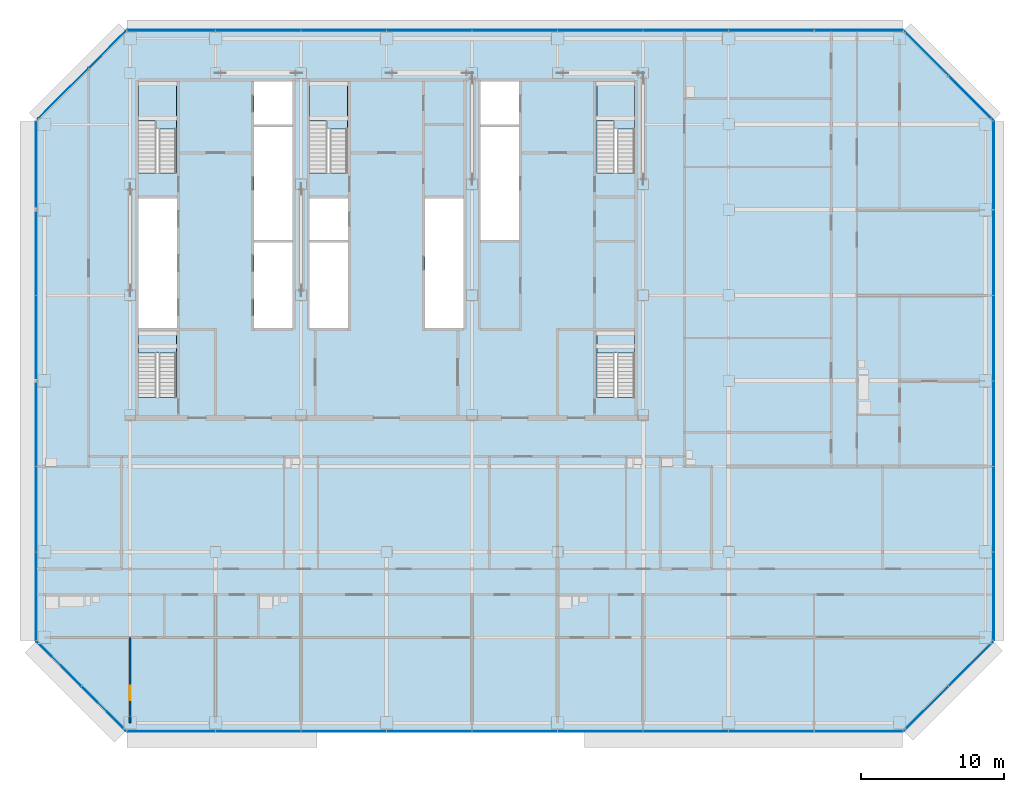
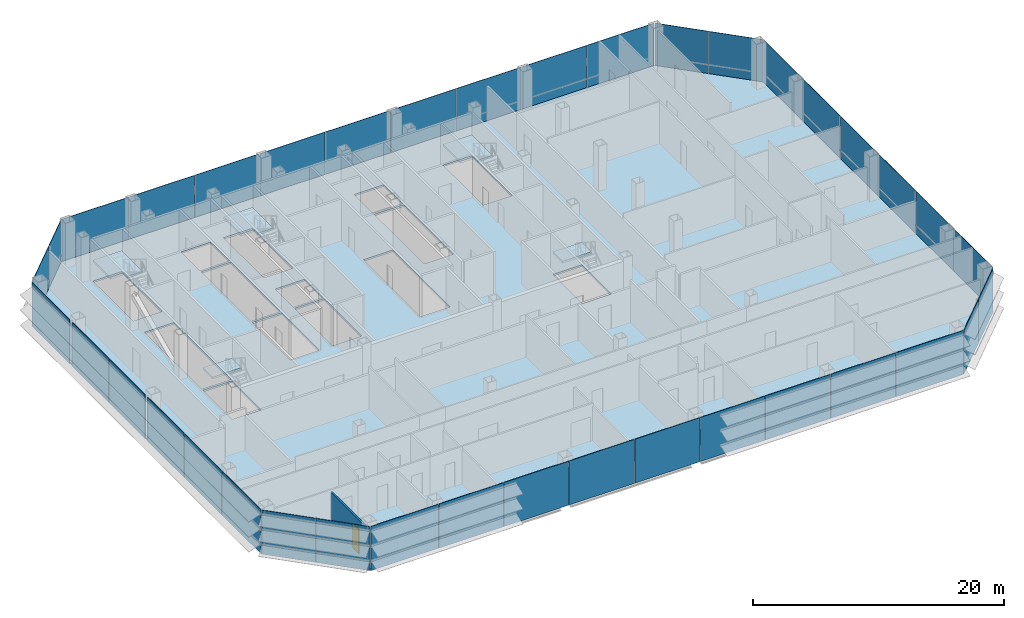
# One storey, part 19 of 27: 38 plates, 6 slabs, 1 door, 1 wall, 1 opening, 13 elements without a shape of their own.
"""IFC4 building model written with IfcOpenShell, lengths in metres."""

from ifc_helpers import new_model, si_unit, direction, frame, frame_2d, origin, origin_2d, place, context, subcontext, project, spatial, polyline, rectangle, outline, extrude, material, layer, layer_set, type_object, element, fill, aggregate, save


model = new_model("IFC4")

# Units and contexts
model_context = context("Model", 3, precision=1e-05, world=origin(), true_north=direction((0.0, 1.0)))
body_context = subcontext(model_context, "Body", "Model", "MODEL_VIEW")
ifc_project = project(units=[si_unit("LENGTHUNIT", "METRE"), si_unit("AREAUNIT", "SQUARE_METRE"), si_unit("VOLUMEUNIT", "CUBIC_METRE"), si_unit("PLANEANGLEUNIT", "RADIAN"), si_unit("MASSUNIT", "GRAM", prefix="KILO")], contexts=[model_context])

# Site, building, storey
site_placement = place(None, origin())
site = spatial("IfcSite", under=ifc_project, at=site_placement, CompositionType="ELEMENT")
building_placement = place(site_placement, origin())
building = spatial("IfcBuilding", under=site, at=building_placement, Name="Sorahane Residences", CompositionType="ELEMENT")
storey_placement = place(building_placement, frame((0.0, 0.0, 85.800048828125)))
storey = spatial("IfcBuildingStorey", under=building, at=storey_placement, Name="L18", CompositionType="ELEMENT", Elevation=85.800048828125)

# Slab
ifc_material_1 = material(Name="Concrete C35", Category="concrete")
ifc_layer_1 = layer(ifc_material_1, 0.179931640625)
ifc_layer_set_1 = layer_set([ifc_layer_1], Name="Composite floor slab 180 mm Concrete C35")
slab_type_1 = type_object("IfcSlabType", Name="Composite floor slab 180 mm Concrete C35", PredefinedType="FLOOR", material=ifc_layer_set_1)
slab_1_placement = place(storey_placement, frame((0.0, 0.0, -0.179931640625)))
element("IfcSlab", 1, at=slab_1_placement, inside=storey, type_object=slab_type_1, Name="Slab L18", PredefinedType="FLOOR", context=body_context, shape_type="SweptSolid", body=[
    extrude(outline(polyline([(5.75146484375, -0.60009765625), (-0.60009765625, 5.75146484375), (-0.60009765625, 42.24853515625), (5.75146484375, 48.60009765625), (60.24853515625, 48.60009765625), (66.60009765625, 42.24853515625), (66.60009765625, 5.75146484375), (60.24853515625, -0.60009765625), (5.75146484375, -0.60009765625)]), holes=[polyline([(18.60009765625, 27.699951171875), (21.300048828125, 27.699951171875), (21.300048828125, 33.699951171875), (18.60009765625, 33.699951171875), (18.60009765625, 27.699951171875)]), polyline([(30.60009765625, 42.0), (33.300048828125, 42.0), (33.300048828125, 45.0), (30.60009765625, 45.0), (30.60009765625, 42.0)]), polyline([(14.699951171875, 27.699951171875), (17.39990234375, 27.699951171875), (17.39990234375, 33.699951171875), (14.699951171875, 33.699951171875), (14.699951171875, 27.699951171875)]), polyline([(14.699951171875, 42.0), (17.39990234375, 42.0), (17.39990234375, 45.0), (14.699951171875, 45.0), (14.699951171875, 42.0)]), polyline([(6.60009765625, 27.699951171875), (9.300048828125, 27.699951171875), (9.300048828125, 36.800048828125), (6.60009765625, 36.800048828125), (6.60009765625, 27.699951171875)]), polyline([(9.25, 38.60009765625), (9.25, 45.0), (6.60009765625, 45.0), (6.60009765625, 38.60009765625), (9.25, 38.60009765625)]), polyline([(41.39990234375, 38.60009765625), (41.39990234375, 45.0), (38.75, 45.0), (38.75, 38.60009765625), (41.39990234375, 38.60009765625)]), polyline([(21.25, 38.60009765625), (21.25, 45.0), (18.60009765625, 45.0), (18.60009765625, 38.60009765625), (21.25, 38.60009765625)]), polyline([(9.25, 22.85009765625), (9.25, 27.5), (6.60009765625, 27.5), (6.60009765625, 22.85009765625), (9.25, 22.85009765625)]), polyline([(41.39990234375, 22.85009765625), (41.39990234375, 27.5), (38.75, 27.5), (38.75, 22.85009765625), (41.39990234375, 22.85009765625)]), polyline([(14.699951171875, 33.89990234375), (17.39990234375, 33.89990234375), (17.39990234375, 41.800048828125), (14.699951171875, 41.800048828125), (14.699951171875, 33.89990234375)]), polyline([(30.60009765625, 33.89990234375), (33.300048828125, 33.89990234375), (33.300048828125, 41.800048828125), (30.60009765625, 41.800048828125), (30.60009765625, 33.89990234375)]), polyline([(18.60009765625, 33.89990234375), (21.300048828125, 33.89990234375), (21.300048828125, 36.800048828125), (18.60009765625, 36.800048828125), (18.60009765625, 33.89990234375)]), polyline([(26.699951171875, 27.699951171875), (29.39990234375, 27.699951171875), (29.39990234375, 36.800048828125), (26.699951171875, 36.800048828125), (26.699951171875, 27.699951171875)])]), origin(), (0.0, 0.0, 1.0), 0.179931640625),
])

# Curtain wall, plates
ifc_material_2 = material(Name="Dark low-e glass and black anodised aluminium", Category="aluminium")
curtain_wall_type_1 = type_object("IfcCurtainWallType", Name="Curtain wall CW-1 Typical unitised wall", PredefinedType="NOTDEFINED", material=ifc_material_2)
curtain_wall_1_placement = place(storey_placement, origin())
curtain_wall_1 = element("IfcCurtainWall", 2, at=curtain_wall_1_placement, inside=storey, type_object=curtain_wall_type_1, Name="CW-1 curtain wall L18 S1", PredefinedType="NOTDEFINED")
ifc_material_3 = material(Name="Dark low-e glass with black ceramic frit", Category="glass")
ifc_layer_2 = layer(ifc_material_3, 0.0400390625)
ifc_layer_set_2 = layer_set([ifc_layer_2], Name="Curtain wall glass panel dark low-e with black frit spandrel band")
plate_type = type_object("IfcPlateType", Name="Curtain wall glass panel dark low-e with black frit spandrel band", PredefinedType="CURTAIN_PANEL", material=ifc_layer_set_2)
plate_1_placement = place(storey_placement, frame((8.88818359375, -0.60009765625, -0.18017578125), z_axis=(0.0, 0.0, 1.0), x_axis=(1.0, 0.0, 0.0)))
plate_1 = element("IfcPlate", 3, at=plate_1_placement, type_object=plate_type, Name="CW-1 glass panel L18 S1.1", PredefinedType="CURTAIN_PANEL", context=body_context, shape_type="SweptSolid", body=[
    extrude(rectangle(XDim=6.173583984375, YDim=0.0400390625, at=origin_2d()), origin(), (0.0, 0.0, 1.0), 4.280029296875),
])
plate_2_placement = place(storey_placement, frame((15.0, -0.60009765625, -0.18017578125), z_axis=(0.0, 0.0, 1.0), x_axis=(1.0, 0.0, 0.0)))
plate_2 = element("IfcPlate", 4, at=plate_2_placement, type_object=plate_type, Name="CW-1 glass panel L18 S1.2", PredefinedType="CURTAIN_PANEL", context=body_context, shape_type="SweptSolid", body=[
    extrude(rectangle(XDim=5.949951171875, YDim=0.0400390625, at=origin_2d()), origin(), (0.0, 0.0, 1.0), 4.280029296875),
])
plate_3_placement = place(storey_placement, frame((21.0, -0.60009765625, -0.18017578125), z_axis=(0.0, 0.0, 1.0), x_axis=(1.0, 0.0, 0.0)))
plate_3 = element("IfcPlate", 5, at=plate_3_placement, type_object=plate_type, Name="CW-1 glass panel L18 S1.3", PredefinedType="CURTAIN_PANEL", context=body_context, shape_type="SweptSolid", body=[
    extrude(rectangle(XDim=5.949951171875, YDim=0.0400390625, at=origin_2d()), origin(), (0.0, 0.0, 1.0), 4.280029296875),
])
plate_4_placement = place(storey_placement, frame((27.0, -0.60009765625, -0.18017578125), z_axis=(0.0, 0.0, 1.0), x_axis=(1.0, 0.0, 0.0)))
plate_4 = element("IfcPlate", 6, at=plate_4_placement, type_object=plate_type, Name="CW-1 glass panel L18 S1.4", PredefinedType="CURTAIN_PANEL", context=body_context, shape_type="SweptSolid", body=[
    extrude(rectangle(XDim=5.949951171875, YDim=0.0400390625, at=origin_2d()), origin(), (0.0, 0.0, 1.0), 4.280029296875),
])
plate_5_placement = place(storey_placement, frame((33.0, -0.60009765625, -0.18017578125), z_axis=(0.0, 0.0, 1.0), x_axis=(1.0, 0.0, 0.0)))
plate_5 = element("IfcPlate", 7, at=plate_5_placement, type_object=plate_type, Name="CW-1 glass panel L18 S1.5", PredefinedType="CURTAIN_PANEL", context=body_context, shape_type="SweptSolid", body=[
    extrude(rectangle(XDim=5.949951171875, YDim=0.0400390625, at=origin_2d()), origin(), (0.0, 0.0, 1.0), 4.280029296875),
])
plate_6_placement = place(storey_placement, frame((39.0, -0.60009765625, -0.18017578125), z_axis=(0.0, 0.0, 1.0), x_axis=(1.0, 0.0, 0.0)))
plate_6 = element("IfcPlate", 8, at=plate_6_placement, type_object=plate_type, Name="CW-1 glass panel L18 S1.6", PredefinedType="CURTAIN_PANEL", context=body_context, shape_type="SweptSolid", body=[
    extrude(rectangle(XDim=5.949951171875, YDim=0.0400390625, at=origin_2d()), origin(), (0.0, 0.0, 1.0), 4.280029296875),
])
plate_7_placement = place(storey_placement, frame((45.0, -0.60009765625, -0.18017578125), z_axis=(0.0, 0.0, 1.0), x_axis=(1.0, 0.0, 0.0)))
plate_7 = element("IfcPlate", 9, at=plate_7_placement, type_object=plate_type, Name="CW-1 glass panel L18 S1.7", PredefinedType="CURTAIN_PANEL", context=body_context, shape_type="SweptSolid", body=[
    extrude(rectangle(XDim=5.949951171875, YDim=0.0400390625, at=origin_2d()), origin(), (0.0, 0.0, 1.0), 4.280029296875),
])
plate_8_placement = place(storey_placement, frame((51.0, -0.60009765625, -0.18017578125), z_axis=(0.0, 0.0, 1.0), x_axis=(1.0, 0.0, 0.0)))
plate_8 = element("IfcPlate", 10, at=plate_8_placement, type_object=plate_type, Name="CW-1 glass panel L18 S1.8", PredefinedType="CURTAIN_PANEL", context=body_context, shape_type="SweptSolid", body=[
    extrude(rectangle(XDim=5.949951171875, YDim=0.0400390625, at=origin_2d()), origin(), (0.0, 0.0, 1.0), 4.280029296875),
])
plate_9_placement = place(storey_placement, frame((57.11181640625, -0.60009765625, -0.18017578125), z_axis=(0.0, 0.0, 1.0), x_axis=(1.0, 0.0, 0.0)))
plate_9 = element("IfcPlate", 11, at=plate_9_placement, type_object=plate_type, Name="CW-1 glass panel L18 S1.9", PredefinedType="CURTAIN_PANEL", context=body_context, shape_type="SweptSolid", body=[
    extrude(rectangle(XDim=6.173583984375, YDim=0.0400390625, at=origin_2d()), origin(), (0.0, 0.0, 1.0), 4.280029296875),
])
aggregate(curtain_wall_1, [plate_1, plate_2, plate_3, plate_4, plate_5, plate_6, plate_7, plate_8, plate_9])

ifc_material_4 = material(Name="Dark low-e glass and black anodised aluminium", Category="aluminium")
curtain_wall_type_2 = type_object("IfcCurtainWallType", Name="Curtain wall CW-2 Chamfer unitised wall", PredefinedType="NOTDEFINED", material=ifc_material_4)
curtain_wall_2_placement = place(storey_placement, origin())
curtain_wall_2 = element("IfcCurtainWall", 12, at=curtain_wall_2_placement, inside=storey, type_object=curtain_wall_type_2, Name="CW-2 curtain wall L18 SE1", PredefinedType="NOTDEFINED")
plate_10_placement = place(storey_placement, frame((61.84521484375, 0.996826171875, -0.18017578125), z_axis=(0.0, 0.0, 1.0), x_axis=(0.707106781187, 0.707106781187, 0.0)))
plate_10 = element("IfcPlate", 13, at=plate_10_placement, type_object=plate_type, Name="CW-2 glass panel L18 SE1.1", PredefinedType="CURTAIN_PANEL", context=body_context, shape_type="SweptSolid", body=[
    extrude(rectangle(XDim=4.416259765625, YDim=0.0400390625, at=origin_2d()), origin(), (0.0, 0.0, 1.0), 4.280029296875),
])
plate_11_placement = place(storey_placement, frame((65.003173828125, 4.15478515625, -0.18017578125), z_axis=(0.0, 0.0, 1.0), x_axis=(0.707106781187, 0.707106781187, 0.0)))
plate_11 = element("IfcPlate", 14, at=plate_11_placement, type_object=plate_type, Name="CW-2 glass panel L18 SE1.2", PredefinedType="CURTAIN_PANEL", context=body_context, shape_type="SweptSolid", body=[
    extrude(rectangle(XDim=4.416259765625, YDim=0.0400390625, at=origin_2d()), origin(), (0.0, 0.0, 1.0), 4.280029296875),
])
aggregate(curtain_wall_2, [plate_10, plate_11])

curtain_wall_3_placement = place(storey_placement, origin())
curtain_wall_3 = element("IfcCurtainWall", 15, at=curtain_wall_3_placement, inside=storey, type_object=curtain_wall_type_1, Name="CW-1 curtain wall L18 E1", PredefinedType="NOTDEFINED")
plate_12_placement = place(storey_placement, frame((66.60009765625, 8.88818359375, -0.18017578125), z_axis=(0.0, 0.0, 1.0), x_axis=(0.0, 1.0, 0.0)))
plate_12 = element("IfcPlate", 16, at=plate_12_placement, type_object=plate_type, Name="CW-1 glass panel L18 E1.1", PredefinedType="CURTAIN_PANEL", context=body_context, shape_type="SweptSolid", body=[
    extrude(rectangle(XDim=6.173583984375, YDim=0.0400390625, at=origin_2d()), origin(), (0.0, 0.0, 1.0), 4.280029296875),
])
plate_13_placement = place(storey_placement, frame((66.60009765625, 15.0, -0.18017578125), z_axis=(0.0, 0.0, 1.0), x_axis=(0.0, 1.0, 0.0)))
plate_13 = element("IfcPlate", 17, at=plate_13_placement, type_object=plate_type, Name="CW-1 glass panel L18 E1.2", PredefinedType="CURTAIN_PANEL", context=body_context, shape_type="SweptSolid", body=[
    extrude(rectangle(XDim=5.949951171875, YDim=0.0400390625, at=origin_2d()), origin(), (0.0, 0.0, 1.0), 4.280029296875),
])
plate_14_placement = place(storey_placement, frame((66.60009765625, 21.0, -0.18017578125), z_axis=(0.0, 0.0, 1.0), x_axis=(0.0, 1.0, 0.0)))
plate_14 = element("IfcPlate", 18, at=plate_14_placement, type_object=plate_type, Name="CW-1 glass panel L18 E1.3", PredefinedType="CURTAIN_PANEL", context=body_context, shape_type="SweptSolid", body=[
    extrude(rectangle(XDim=5.949951171875, YDim=0.0400390625, at=origin_2d()), origin(), (0.0, 0.0, 1.0), 4.280029296875),
])
plate_15_placement = place(storey_placement, frame((66.60009765625, 27.0, -0.18017578125), z_axis=(0.0, 0.0, 1.0), x_axis=(0.0, 1.0, 0.0)))
plate_15 = element("IfcPlate", 19, at=plate_15_placement, type_object=plate_type, Name="CW-1 glass panel L18 E1.4", PredefinedType="CURTAIN_PANEL", context=body_context, shape_type="SweptSolid", body=[
    extrude(rectangle(XDim=5.949951171875, YDim=0.0400390625, at=origin_2d()), origin(), (0.0, 0.0, 1.0), 4.280029296875),
])
plate_16_placement = place(storey_placement, frame((66.60009765625, 33.0, -0.18017578125), z_axis=(0.0, 0.0, 1.0), x_axis=(0.0, 1.0, 0.0)))
plate_16 = element("IfcPlate", 20, at=plate_16_placement, type_object=plate_type, Name="CW-1 glass panel L18 E1.5", PredefinedType="CURTAIN_PANEL", context=body_context, shape_type="SweptSolid", body=[
    extrude(rectangle(XDim=5.949951171875, YDim=0.0400390625, at=origin_2d()), origin(), (0.0, 0.0, 1.0), 4.280029296875),
])
plate_17_placement = place(storey_placement, frame((66.60009765625, 39.11181640625, -0.18017578125), z_axis=(0.0, 0.0, 1.0), x_axis=(0.0, 1.0, 0.0)))
plate_17 = element("IfcPlate", 21, at=plate_17_placement, type_object=plate_type, Name="CW-1 glass panel L18 E1.6", PredefinedType="CURTAIN_PANEL", context=body_context, shape_type="SweptSolid", body=[
    extrude(rectangle(XDim=6.173583984375, YDim=0.0400390625, at=origin_2d()), origin(), (0.0, 0.0, 1.0), 4.280029296875),
])
aggregate(curtain_wall_3, [plate_12, plate_13, plate_14, plate_15, plate_16, plate_17])

curtain_wall_4_placement = place(storey_placement, origin())
curtain_wall_4 = element("IfcCurtainWall", 22, at=curtain_wall_4_placement, inside=storey, type_object=curtain_wall_type_2, Name="CW-2 curtain wall L18 NE1", PredefinedType="NOTDEFINED")
plate_18_placement = place(storey_placement, frame((65.003173828125, 43.84521484375, -0.18017578125), z_axis=(0.0, 0.0, 1.0), x_axis=(-0.707106781187, 0.707106781187, 0.0)))
plate_18 = element("IfcPlate", 23, at=plate_18_placement, type_object=plate_type, Name="CW-2 glass panel L18 NE1.1", PredefinedType="CURTAIN_PANEL", context=body_context, shape_type="SweptSolid", body=[
    extrude(rectangle(XDim=4.416259765625, YDim=0.0400390625, at=origin_2d()), origin(), (0.0, 0.0, 1.0), 4.280029296875),
])
plate_19_placement = place(storey_placement, frame((61.84521484375, 47.003173828125, -0.18017578125), z_axis=(0.0, 0.0, 1.0), x_axis=(-0.707106781187, 0.707106781187, 0.0)))
plate_19 = element("IfcPlate", 24, at=plate_19_placement, type_object=plate_type, Name="CW-2 glass panel L18 NE1.2", PredefinedType="CURTAIN_PANEL", context=body_context, shape_type="SweptSolid", body=[
    extrude(rectangle(XDim=4.416259765625, YDim=0.0400390625, at=origin_2d()), origin(), (0.0, 0.0, 1.0), 4.280029296875),
])
aggregate(curtain_wall_4, [plate_18, plate_19])

curtain_wall_5_placement = place(storey_placement, origin())
curtain_wall_5 = element("IfcCurtainWall", 25, at=curtain_wall_5_placement, inside=storey, type_object=curtain_wall_type_1, Name="CW-1 curtain wall L18 N1", PredefinedType="NOTDEFINED")
plate_20_placement = place(storey_placement, frame((57.11181640625, 48.60009765625, -0.18017578125), z_axis=(0.0, 0.0, 1.0), x_axis=(-1.0, 0.0, 0.0)))
plate_20 = element("IfcPlate", 26, at=plate_20_placement, type_object=plate_type, Name="CW-1 glass panel L18 N1.1", PredefinedType="CURTAIN_PANEL", context=body_context, shape_type="SweptSolid", body=[
    extrude(rectangle(XDim=6.173583984375, YDim=0.0400390625, at=origin_2d()), origin(), (0.0, 0.0, 1.0), 4.280029296875),
])
plate_21_placement = place(storey_placement, frame((51.0, 48.60009765625, -0.18017578125), z_axis=(0.0, 0.0, 1.0), x_axis=(-1.0, 0.0, 0.0)))
plate_21 = element("IfcPlate", 27, at=plate_21_placement, type_object=plate_type, Name="CW-1 glass panel L18 N1.2", PredefinedType="CURTAIN_PANEL", context=body_context, shape_type="SweptSolid", body=[
    extrude(rectangle(XDim=5.949951171875, YDim=0.0400390625, at=origin_2d()), origin(), (0.0, 0.0, 1.0), 4.280029296875),
])
plate_22_placement = place(storey_placement, frame((45.0, 48.60009765625, -0.18017578125), z_axis=(0.0, 0.0, 1.0), x_axis=(-1.0, 0.0, 0.0)))
plate_22 = element("IfcPlate", 28, at=plate_22_placement, type_object=plate_type, Name="CW-1 glass panel L18 N1.3", PredefinedType="CURTAIN_PANEL", context=body_context, shape_type="SweptSolid", body=[
    extrude(rectangle(XDim=5.949951171875, YDim=0.0400390625, at=origin_2d()), origin(), (0.0, 0.0, 1.0), 4.280029296875),
])
plate_23_placement = place(storey_placement, frame((39.0, 48.60009765625, -0.18017578125), z_axis=(0.0, 0.0, 1.0), x_axis=(-1.0, 0.0, 0.0)))
plate_23 = element("IfcPlate", 29, at=plate_23_placement, type_object=plate_type, Name="CW-1 glass panel L18 N1.4", PredefinedType="CURTAIN_PANEL", context=body_context, shape_type="SweptSolid", body=[
    extrude(rectangle(XDim=5.949951171875, YDim=0.0400390625, at=origin_2d()), origin(), (0.0, 0.0, 1.0), 4.280029296875),
])
plate_24_placement = place(storey_placement, frame((33.0, 48.60009765625, -0.18017578125), z_axis=(0.0, 0.0, 1.0), x_axis=(-1.0, 0.0, 0.0)))
plate_24 = element("IfcPlate", 30, at=plate_24_placement, type_object=plate_type, Name="CW-1 glass panel L18 N1.5", PredefinedType="CURTAIN_PANEL", context=body_context, shape_type="SweptSolid", body=[
    extrude(rectangle(XDim=5.949951171875, YDim=0.0400390625, at=origin_2d()), origin(), (0.0, 0.0, 1.0), 4.280029296875),
])
plate_25_placement = place(storey_placement, frame((27.0, 48.60009765625, -0.18017578125), z_axis=(0.0, 0.0, 1.0), x_axis=(-1.0, 0.0, 0.0)))
plate_25 = element("IfcPlate", 31, at=plate_25_placement, type_object=plate_type, Name="CW-1 glass panel L18 N1.6", PredefinedType="CURTAIN_PANEL", context=body_context, shape_type="SweptSolid", body=[
    extrude(rectangle(XDim=5.949951171875, YDim=0.0400390625, at=origin_2d()), origin(), (0.0, 0.0, 1.0), 4.280029296875),
])
plate_26_placement = place(storey_placement, frame((21.0, 48.60009765625, -0.18017578125), z_axis=(0.0, 0.0, 1.0), x_axis=(-1.0, 0.0, 0.0)))
plate_26 = element("IfcPlate", 32, at=plate_26_placement, type_object=plate_type, Name="CW-1 glass panel L18 N1.7", PredefinedType="CURTAIN_PANEL", context=body_context, shape_type="SweptSolid", body=[
    extrude(rectangle(XDim=5.949951171875, YDim=0.0400390625, at=origin_2d()), origin(), (0.0, 0.0, 1.0), 4.280029296875),
])
plate_27_placement = place(storey_placement, frame((15.0, 48.60009765625, -0.18017578125), z_axis=(0.0, 0.0, 1.0), x_axis=(-1.0, 0.0, 0.0)))
plate_27 = element("IfcPlate", 33, at=plate_27_placement, type_object=plate_type, Name="CW-1 glass panel L18 N1.8", PredefinedType="CURTAIN_PANEL", context=body_context, shape_type="SweptSolid", body=[
    extrude(rectangle(XDim=5.949951171875, YDim=0.0400390625, at=origin_2d()), origin(), (0.0, 0.0, 1.0), 4.280029296875),
])
plate_28_placement = place(storey_placement, frame((8.88818359375, 48.60009765625, -0.18017578125), z_axis=(0.0, 0.0, 1.0), x_axis=(-1.0, 0.0, 0.0)))
plate_28 = element("IfcPlate", 34, at=plate_28_placement, type_object=plate_type, Name="CW-1 glass panel L18 N1.9", PredefinedType="CURTAIN_PANEL", context=body_context, shape_type="SweptSolid", body=[
    extrude(rectangle(XDim=6.173583984375, YDim=0.0400390625, at=origin_2d()), origin(), (0.0, 0.0, 1.0), 4.280029296875),
])
aggregate(curtain_wall_5, [plate_20, plate_21, plate_22, plate_23, plate_24, plate_25, plate_26, plate_27, plate_28])

curtain_wall_6_placement = place(storey_placement, origin())
curtain_wall_6 = element("IfcCurtainWall", 35, at=curtain_wall_6_placement, inside=storey, type_object=curtain_wall_type_2, Name="CW-2 curtain wall L18 NW1", PredefinedType="NOTDEFINED")
plate_29_placement = place(storey_placement, frame((4.4169921875, 47.265625, -0.18017578125), z_axis=(0.0, 0.0, 1.0), x_axis=(-0.707106781187, -0.707106781187, 0.0)))
plate_29 = element("IfcPlate", 36, at=plate_29_placement, type_object=plate_type, Name="CW-2 glass panel L18 NW1.1", PredefinedType="CURTAIN_PANEL", context=body_context, shape_type="SweptSolid", body=[
    extrude(rectangle(XDim=3.67431640625, YDim=0.0400390625, at=origin_2d()), origin(), (0.0, 0.0, 1.0), 4.280029296875),
])
plate_30_placement = place(storey_placement, frame((1.32080078125, 44.16943359375, -0.18017578125), z_axis=(0.0, 0.0, 1.0), x_axis=(-0.707106781187, -0.707106781187, 0.0)))
plate_30 = element("IfcPlate", 37, at=plate_30_placement, type_object=plate_type, Name="CW-2 glass panel L18 NW1.2", PredefinedType="CURTAIN_PANEL", context=body_context, shape_type="SweptSolid", body=[
    extrude(rectangle(XDim=4.98291015625, YDim=0.0400390625, at=origin_2d()), origin(), (0.0, 0.0, 1.0), 4.280029296875),
])
aggregate(curtain_wall_6, [plate_29, plate_30])

curtain_wall_7_placement = place(storey_placement, origin())
curtain_wall_7 = element("IfcCurtainWall", 38, at=curtain_wall_7_placement, inside=storey, type_object=curtain_wall_type_1, Name="CW-1 curtain wall L18 W1", PredefinedType="NOTDEFINED")
plate_31_placement = place(storey_placement, frame((-0.60009765625, 39.19921875, -0.18017578125), z_axis=(0.0, 0.0, 1.0), x_axis=(0.0, -1.0, 0.0)))
plate_31 = element("IfcPlate", 39, at=plate_31_placement, type_object=plate_type, Name="CW-1 glass panel L18 W1.1", PredefinedType="CURTAIN_PANEL", context=body_context, shape_type="SweptSolid", body=[
    extrude(rectangle(XDim=5.99853515625, YDim=0.0400390625, at=origin_2d()), origin(), (0.0, 0.0, 1.0), 4.280029296875),
])
plate_32_placement = place(storey_placement, frame((-0.60009765625, 32.91259765625, -0.18017578125), z_axis=(0.0, 0.0, 1.0), x_axis=(0.0, -1.0, 0.0)))
plate_32 = element("IfcPlate", 40, at=plate_32_placement, type_object=plate_type, Name="CW-1 glass panel L18 W1.2", PredefinedType="CURTAIN_PANEL", context=body_context, shape_type="SweptSolid", body=[
    extrude(rectangle(XDim=5.77490234375, YDim=0.0400390625, at=origin_2d()), origin(), (0.0, 0.0, 1.0), 4.280029296875),
])
plate_33_placement = place(storey_placement, frame((-0.60009765625, 27.08740234375, -0.18017578125), z_axis=(0.0, 0.0, 1.0), x_axis=(0.0, -1.0, 0.0)))
plate_33 = element("IfcPlate", 41, at=plate_33_placement, type_object=plate_type, Name="CW-1 glass panel L18 W1.3", PredefinedType="CURTAIN_PANEL", context=body_context, shape_type="SweptSolid", body=[
    extrude(rectangle(XDim=5.77490234375, YDim=0.0400390625, at=origin_2d()), origin(), (0.0, 0.0, 1.0), 4.280029296875),
])
plate_34_placement = place(storey_placement, frame((-0.60009765625, 20.91259765625, -0.18017578125), z_axis=(0.0, 0.0, 1.0), x_axis=(0.0, -1.0, 0.0)))
plate_34 = element("IfcPlate", 42, at=plate_34_placement, type_object=plate_type, Name="CW-1 glass panel L18 W1.4", PredefinedType="CURTAIN_PANEL", context=body_context, shape_type="SweptSolid", body=[
    extrude(rectangle(XDim=5.77490234375, YDim=0.0400390625, at=origin_2d()), origin(), (0.0, 0.0, 1.0), 4.280029296875),
])
plate_35_placement = place(storey_placement, frame((-0.60009765625, 15.0, -0.18017578125), z_axis=(0.0, 0.0, 1.0), x_axis=(0.0, -1.0, 0.0)))
plate_35 = element("IfcPlate", 43, at=plate_35_placement, type_object=plate_type, Name="CW-1 glass panel L18 W1.5", PredefinedType="CURTAIN_PANEL", context=body_context, shape_type="SweptSolid", body=[
    extrude(rectangle(XDim=5.949951171875, YDim=0.0400390625, at=origin_2d()), origin(), (0.0, 0.0, 1.0), 4.280029296875),
])
plate_36_placement = place(storey_placement, frame((-0.60009765625, 8.88818359375, -0.18017578125), z_axis=(0.0, 0.0, 1.0), x_axis=(0.0, -1.0, 0.0)))
plate_36 = element("IfcPlate", 44, at=plate_36_placement, type_object=plate_type, Name="CW-1 glass panel L18 W1.6", PredefinedType="CURTAIN_PANEL", context=body_context, shape_type="SweptSolid", body=[
    extrude(rectangle(XDim=6.173583984375, YDim=0.0400390625, at=origin_2d()), origin(), (0.0, 0.0, 1.0), 4.280029296875),
])
aggregate(curtain_wall_7, [plate_31, plate_32, plate_33, plate_34, plate_35, plate_36])

curtain_wall_8_placement = place(storey_placement, origin())
curtain_wall_8 = element("IfcCurtainWall", 45, at=curtain_wall_8_placement, inside=storey, type_object=curtain_wall_type_2, Name="CW-2 curtain wall L18 SW1", PredefinedType="NOTDEFINED")
plate_37_placement = place(storey_placement, frame((0.996826171875, 4.15478515625, -0.18017578125), z_axis=(0.0, 0.0, 1.0), x_axis=(0.707106781187, -0.707106781187, 0.0)))
plate_37 = element("IfcPlate", 46, at=plate_37_placement, type_object=plate_type, Name="CW-2 glass panel L18 SW1.1", PredefinedType="CURTAIN_PANEL", context=body_context, shape_type="SweptSolid", body=[
    extrude(rectangle(XDim=4.416259765625, YDim=0.0400390625, at=origin_2d()), origin(), (0.0, 0.0, 1.0), 4.280029296875),
])
plate_38_placement = place(storey_placement, frame((4.15478515625, 0.996826171875, -0.18017578125), z_axis=(0.0, 0.0, 1.0), x_axis=(0.707106781187, -0.707106781187, 0.0)))
plate_38 = element("IfcPlate", 47, at=plate_38_placement, type_object=plate_type, Name="CW-2 glass panel L18 SW1.2", PredefinedType="CURTAIN_PANEL", context=body_context, shape_type="SweptSolid", body=[
    extrude(rectangle(XDim=4.416259765625, YDim=0.0400390625, at=origin_2d()), origin(), (0.0, 0.0, 1.0), 4.280029296875),
])
aggregate(curtain_wall_8, [plate_37, plate_38])

# Stair, slab
ifc_material_5 = material(Name="Concrete C40", Category="concrete")
stair_type = type_object("IfcStairType", Name="Dog-leg stair 1250 Concrete C40", PredefinedType="HALF_TURN_STAIR", material=ifc_material_5)
stair_1_placement = place(storey_placement, origin())
stair_1 = element("IfcStair", 48, at=stair_1_placement, inside=storey, type_object=stair_type, Name="L18 Stair S1", PredefinedType="HALF_TURN_STAIR")
ifc_material_6 = material(Name="Concrete C40", Category="concrete")
ifc_layer_3 = layer(ifc_material_6, 0.199951171875)
ifc_layer_set_3 = layer_set([ifc_layer_3], Name="Stair landing 200 Concrete C40")
slab_type_2 = type_object("IfcSlabType", Name="Stair landing 200 Concrete C40", PredefinedType="LANDING", material=ifc_layer_set_3)
slab_2_placement = place(storey_placement, frame((0.0, 0.0, 1.830810546875)))
slab_2 = element("IfcSlab", 49, at=slab_2_placement, type_object=slab_type_2, Name="S1 landing 1", PredefinedType="LANDING", context=body_context, shape_type="SweptSolid", body=[
    extrude(outline(polyline([(9.25, 41.679931640625), (9.25, 45.0), (6.60009765625, 45.0), (6.60009765625, 42.239990234375), (7.85009765625, 42.239990234375), (7.85009765625, 41.679931640625), (9.25, 41.679931640625)])), origin(), (0.0, 0.0, 1.0), 0.199951171875),
])
aggregate(stair_1, [slab_2])

stair_2_placement = place(storey_placement, origin())
stair_2 = element("IfcStair", 50, at=stair_2_placement, inside=storey, type_object=stair_type, Name="L18 Stair S2", PredefinedType="HALF_TURN_STAIR")
slab_3_placement = place(storey_placement, frame((0.0, 0.0, 1.830810546875)))
slab_3 = element("IfcSlab", 51, at=slab_3_placement, type_object=slab_type_2, Name="S2 landing 1", PredefinedType="LANDING", context=body_context, shape_type="SweptSolid", body=[
    extrude(outline(polyline([(41.39990234375, 41.679931640625), (41.39990234375, 45.0), (38.75, 45.0), (38.75, 42.239990234375), (40.0, 42.239990234375), (40.0, 41.679931640625), (41.39990234375, 41.679931640625)])), origin(), (0.0, 0.0, 1.0), 0.199951171875),
])
aggregate(stair_2, [slab_3])

stair_3_placement = place(storey_placement, origin())
stair_3 = element("IfcStair", 52, at=stair_3_placement, inside=storey, type_object=stair_type, Name="L18 Stair S3", PredefinedType="HALF_TURN_STAIR")
slab_4_placement = place(storey_placement, frame((0.0, 0.0, 1.830810546875)))
slab_4 = element("IfcSlab", 53, at=slab_4_placement, type_object=slab_type_2, Name="S3 landing 1", PredefinedType="LANDING", context=body_context, shape_type="SweptSolid", body=[
    extrude(outline(polyline([(21.25, 41.679931640625), (21.25, 45.0), (18.60009765625, 45.0), (18.60009765625, 42.239990234375), (19.85009765625, 42.239990234375), (19.85009765625, 41.679931640625), (21.25, 41.679931640625)])), origin(), (0.0, 0.0, 1.0), 0.199951171875),
])
aggregate(stair_3, [slab_4])

stair_4_placement = place(storey_placement, origin())
stair_4 = element("IfcStair", 54, at=stair_4_placement, inside=storey, type_object=stair_type, Name="L18 Stair S4", PredefinedType="HALF_TURN_STAIR")
slab_5_placement = place(storey_placement, frame((0.0, 0.0, 2.0)))
slab_5 = element("IfcSlab", 55, at=slab_5_placement, type_object=slab_type_2, Name="S4 landing 1", PredefinedType="LANDING", context=body_context, shape_type="SweptSolid", body=[
    extrude(outline(polyline([(9.25, 25.969970703125), (9.25, 27.5), (6.60009765625, 27.5), (6.60009765625, 25.969970703125), (9.25, 25.969970703125)])), origin(), (0.0, 0.0, 1.0), 0.199951171875),
])
aggregate(stair_4, [slab_5])

stair_5_placement = place(storey_placement, origin())
stair_5 = element("IfcStair", 56, at=stair_5_placement, inside=storey, type_object=stair_type, Name="L18 Stair S5", PredefinedType="HALF_TURN_STAIR")
slab_6_placement = place(storey_placement, frame((0.0, 0.0, 2.0)))
slab_6 = element("IfcSlab", 57, at=slab_6_placement, type_object=slab_type_2, Name="S5 landing 1", PredefinedType="LANDING", context=body_context, shape_type="SweptSolid", body=[
    extrude(outline(polyline([(41.39990234375, 25.969970703125), (41.39990234375, 27.5), (38.75, 27.5), (38.75, 25.969970703125), (41.39990234375, 25.969970703125)])), origin(), (0.0, 0.0, 1.0), 0.199951171875),
])
aggregate(stair_5, [slab_6])

# Wall, opening, door
ifc_material_7 = material(Name="Gypsum board partition on steel studs", Category="steel")
ifc_layer_4 = layer(ifc_material_7, 0.14990234375)
ifc_layer_set_4 = layer_set([ifc_layer_4], Name="Partition 150 EI 90")
wall_type = type_object("IfcWallType", Name="Partition 150 EI 90", PredefinedType="PARTITIONING", material=ifc_layer_set_4)
wall_placement = place(storey_placement, frame((6.0, 0.0, 0.0), z_axis=(0.0, 0.0, 1.0), x_axis=(0.0, 1.0, 0.0)))
wall = element("IfcWall", 58, at=wall_placement, inside=storey, type_object=wall_type, Name="L18 partition", PredefinedType="PARTITIONING", context=body_context, shape_type="SweptSolid", body=[
    extrude(rectangle(XDim=6.0, YDim=0.14990234375, at=frame_2d((3.0, 0.0))), origin(), (0.0, 0.0, 1.0), 3.39990234375),
])
opening_placement = place(wall_placement, frame((1.60009765625, 0.0, 0.0)))
opening = element("IfcOpeningElement", 59, at=opening_placement, cuts=wall, Name="Opening L18-11", PredefinedType="OPENING", context=body_context, shape_type="SweptSolid", body=[
    extrude(rectangle(XDim=1.0, YDim=2.39990234375, at=frame_2d((0.5, 1.199951171875))), frame((0.0, 0.0849609375, 0.0), z_axis=(0.0, -1.0, 0.0), x_axis=(1.0, 0.0, 0.0)), (0.0, 0.0, 1.0), 0.169921875),
])
ifc_material_8 = material(Name="Timber veneered fire door", Category="wood")
door_type = type_object("IfcDoorType", Name="Room door 1000x2400 FD30", OperationType="NOTDEFINED", PredefinedType="DOOR", material=ifc_material_8)
door_placement = place(opening_placement, origin())
door = element("IfcDoor", 60, at=door_placement, inside=storey, type_object=door_type, Name="Room door L18-11", OperationType="SINGLE_SWING_RIGHT", OverallHeight=2.39990234375, OverallWidth=1.0, PredefinedType="DOOR", context=body_context, shape_type="SweptSolid", body=[
    extrude(rectangle(XDim=1.0, YDim=2.39990234375, at=frame_2d((0.5, 1.199951171875))), frame((0.0, 0.02490234375, 0.0), z_axis=(0.0, -1.0, 0.0), x_axis=(1.0, 0.0, 0.0)), (0.0, 0.0, 1.0), 0.050048828125),
])
fill(opening, door)

save(model, "model.ifc")
